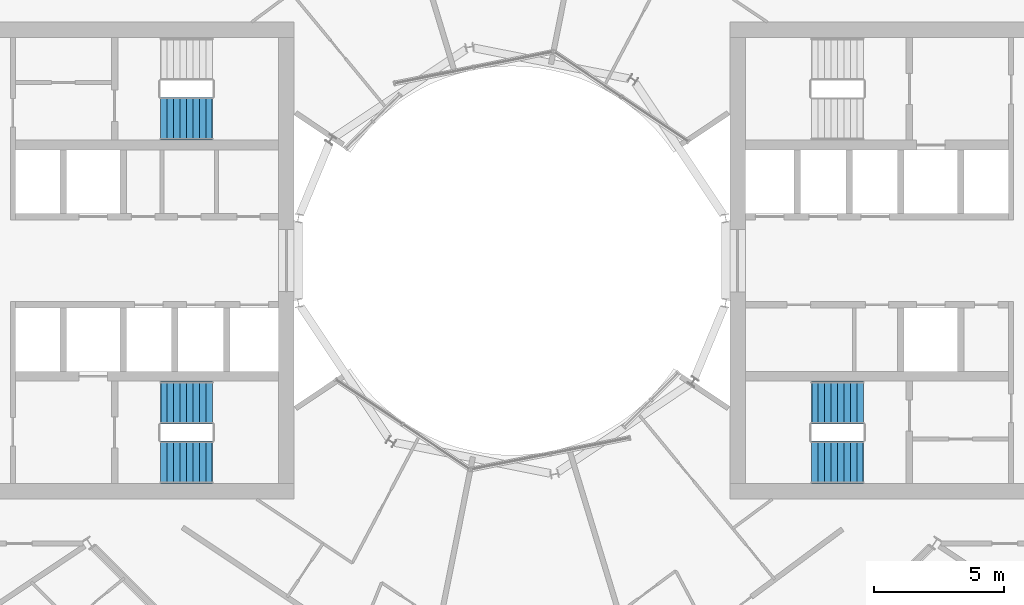
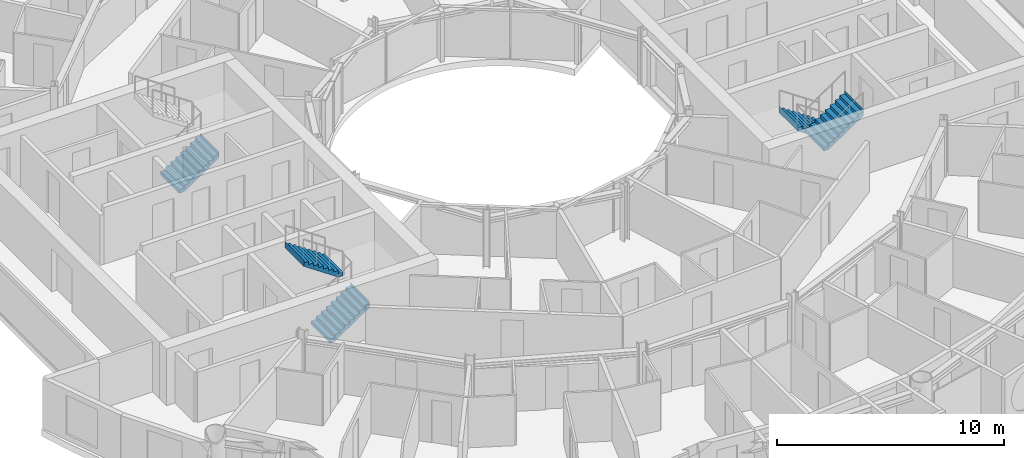
# One storey, part 24 of 27: 5 stair flights, 3 elements without a shape of their own.
"""IFC4 building model written with IfcOpenShell, lengths in metres."""

from ifc_helpers import new_model, si_unit, direction, frame, origin, place, context, subcontext, project, spatial, triangles, material, type_object, element, aggregate, save


model = new_model("IFC4")

# Units and contexts
model_context = context("Model", 3, precision=1e-05, world=origin(), true_north=direction((0.0, 1.0)))
body_context = subcontext(model_context, "Body", "Model", "MODEL_VIEW")
ifc_project = project(units=[si_unit("LENGTHUNIT", "METRE"), si_unit("AREAUNIT", "SQUARE_METRE"), si_unit("VOLUMEUNIT", "CUBIC_METRE"), si_unit("PLANEANGLEUNIT", "RADIAN"), si_unit("MASSUNIT", "GRAM", prefix="KILO")], contexts=[model_context])

# Site, building, storey
site_placement = place(None, origin())
site = spatial("IfcSite", under=ifc_project, at=site_placement, CompositionType="ELEMENT")
building_placement = place(site_placement, origin())
building = spatial("IfcBuilding", under=site, at=building_placement, Name="Maasbend Ring Residences", CompositionType="ELEMENT")
storey_placement = place(building_placement, frame((0.0, 0.0, 126.89990234375)))
storey = spatial("IfcBuildingStorey", under=building, at=storey_placement, Name="L36", CompositionType="ELEMENT", Elevation=126.89990234375)

# Stair, stair flights
ifc_material_1 = material(Name="Concrete C40/50", Category="concrete")
stair_type = type_object("IfcStairType", Name="CORE STAIR 18 RISERS", PredefinedType="HALF_TURN_STAIR", material=ifc_material_1)
stair_1_placement = place(storey_placement, origin())
stair_1 = element("IfcStair", 1, at=stair_1_placement, inside=storey, type_object=stair_type, Name="L36 Exit stair ST-E2", PredefinedType="HALF_TURN_STAIR")
ifc_material_2 = material(Name="Concrete C40/50", Category="concrete")
stair_flight_type = type_object("IfcStairFlightType", Name="CORE STAIR FLIGHT 1650", PredefinedType="STRAIGHT", material=ifc_material_2)
stair_flight_1_placement = place(storey_placement, frame((13.550048828125, -5.47509765625, 0.0), z_axis=(0.0, 0.0, 1.0), x_axis=(-1.0, 0.0, 0.0)))
stair_flight_1 = element("IfcStairFlight", 2, at=stair_flight_1_placement, type_object=stair_flight_type, Name="ST-E2 flight 1", NumberOfRisers=9, NumberOfTreads=8, PredefinedType="STRAIGHT", RiserHeight=0.169444444, TreadLength=0.25, context=body_context, shape_type="Tessellation", body=[
    triangles([(0.24072265625, 0.824951171875, -0.02001953125), (2.0029296875, 0.824951171875, 1.174560546875), (2.0029296875, 0.824951171875, 1.52490234375), (1.989990234375, 0.824951171875, 1.35546875), (1.75, 0.824951171875, 1.35546875), (1.75, 0.824951171875, 1.18603515625), (1.5, 0.824951171875, 1.18603515625), (1.5, 0.824951171875, 1.0166015625), (1.25, 0.824951171875, 1.0166015625), (1.25, 0.824951171875, 0.84716796875), (1.0, 0.824951171875, 0.84716796875), (1.0, 0.824951171875, 0.677734375), (0.75, 0.824951171875, 0.677734375), (0.75, 0.824951171875, 0.50830078125), (0.5, 0.824951171875, 0.50830078125), (0.5, 0.824951171875, 0.3388671875), (0.25, 0.824951171875, 0.3388671875), (0.25, 0.824951171875, 0.16943359375), (0.0, 0.824951171875, 0.16943359375), (0.0, 0.824951171875, 0.0), (-0.0029296875, 0.824951171875, 0.0), (-0.0029296875, 0.824951171875, -0.02001953125), (0.24072265625, 0.27490234375, -0.02001953125), (2.0029296875, 0.27490234375, 1.174560546875), (2.0029296875, 0.27490234375, 1.52490234375), (1.989990234375, 0.27490234375, 1.35546875), (1.75, 0.27490234375, 1.35546875), (1.75, 0.27490234375, 1.18603515625), (1.5, 0.27490234375, 1.18603515625), (1.5, 0.27490234375, 1.0166015625), (1.25, 0.27490234375, 1.0166015625), (1.25, 0.27490234375, 0.84716796875), (1.0, 0.27490234375, 0.84716796875), (1.0, 0.27490234375, 0.677734375), (0.75, 0.27490234375, 0.677734375), (0.75, 0.27490234375, 0.50830078125), (0.5, 0.27490234375, 0.50830078125), (0.5, 0.27490234375, 0.3388671875), (0.25, 0.27490234375, 0.3388671875), (0.25, 0.27490234375, 0.16943359375), (0.0, 0.27490234375, 0.16943359375), (0.0, 0.27490234375, 0.0), (-0.0029296875, 0.27490234375, 0.0), (-0.0029296875, 0.27490234375, -0.02001953125), (0.24072265625, -0.27490234375, -0.02001953125), (2.0029296875, -0.27490234375, 1.174560546875), (2.0029296875, -0.27490234375, 1.52490234375), (1.989990234375, -0.27490234375, 1.35546875), (1.75, -0.27490234375, 1.35546875), (1.75, -0.27490234375, 1.18603515625), (1.5, -0.27490234375, 1.18603515625), (1.5, -0.27490234375, 1.0166015625), (1.25, -0.27490234375, 1.0166015625), (1.25, -0.27490234375, 0.84716796875), (1.0, -0.27490234375, 0.84716796875), (1.0, -0.27490234375, 0.677734375), (0.75, -0.27490234375, 0.677734375), (0.75, -0.27490234375, 0.50830078125), (0.5, -0.27490234375, 0.50830078125), (0.5, -0.27490234375, 0.3388671875), (0.25, -0.27490234375, 0.3388671875), (0.25, -0.27490234375, 0.16943359375), (0.0, -0.27490234375, 0.16943359375), (0.0, -0.27490234375, 0.0), (-0.0029296875, -0.27490234375, 0.0), (-0.0029296875, -0.27490234375, -0.02001953125), (0.24072265625, -0.824951171875, -0.02001953125), (2.0029296875, -0.824951171875, 1.174560546875), (2.0029296875, -0.824951171875, 1.52490234375), (1.989990234375, -0.824951171875, 1.35546875), (1.75, -0.824951171875, 1.35546875), (1.75, -0.824951171875, 1.18603515625), (1.5, -0.824951171875, 1.18603515625), (1.5, -0.824951171875, 1.0166015625), (1.25, -0.824951171875, 1.0166015625), (1.25, -0.824951171875, 0.84716796875), (1.0, -0.824951171875, 0.84716796875), (1.0, -0.824951171875, 0.677734375), (0.75, -0.824951171875, 0.677734375), (0.75, -0.824951171875, 0.50830078125), (0.5, -0.824951171875, 0.50830078125), (0.5, -0.824951171875, 0.3388671875), (0.25, -0.824951171875, 0.3388671875), (0.25, -0.824951171875, 0.16943359375), (0.0, -0.824951171875, 0.16943359375), (0.0, -0.824951171875, 0.0), (-0.0029296875, -0.824951171875, 0.0), (-0.0029296875, -0.824951171875, -0.02001953125)], [[1, 2, 24], [1, 24, 23], [23, 24, 46], [23, 46, 45], [45, 46, 68], [45, 68, 67], [2, 3, 25], [2, 25, 24], [24, 25, 47], [24, 47, 46], [46, 47, 69], [46, 69, 68], [3, 4, 26], [3, 26, 25], [25, 26, 48], [25, 48, 47], [47, 48, 70], [47, 70, 69], [4, 5, 27], [4, 27, 26], [26, 27, 49], [26, 49, 48], [48, 49, 71], [48, 71, 70], [5, 6, 28], [5, 28, 27], [27, 28, 50], [27, 50, 49], [49, 50, 72], [49, 72, 71], [6, 7, 29], [6, 29, 28], [28, 29, 51], [28, 51, 50], [50, 51, 73], [50, 73, 72], [7, 8, 30], [7, 30, 29], [29, 30, 52], [29, 52, 51], [51, 52, 74], [51, 74, 73], [8, 9, 31], [8, 31, 30], [30, 31, 53], [30, 53, 52], [52, 53, 75], [52, 75, 74], [9, 10, 32], [9, 32, 31], [31, 32, 54], [31, 54, 53], [53, 54, 76], [53, 76, 75], [10, 11, 33], [10, 33, 32], [32, 33, 55], [32, 55, 54], [54, 55, 77], [54, 77, 76], [11, 12, 34], [11, 34, 33], [33, 34, 56], [33, 56, 55], [55, 56, 78], [55, 78, 77], [12, 13, 35], [12, 35, 34], [34, 35, 57], [34, 57, 56], [56, 57, 79], [56, 79, 78], [13, 14, 36], [13, 36, 35], [35, 36, 58], [35, 58, 57], [57, 58, 80], [57, 80, 79], [14, 15, 37], [14, 37, 36], [36, 37, 59], [36, 59, 58], [58, 59, 81], [58, 81, 80], [15, 16, 38], [15, 38, 37], [37, 38, 60], [37, 60, 59], [59, 60, 82], [59, 82, 81], [16, 17, 39], [16, 39, 38], [38, 39, 61], [38, 61, 60], [60, 61, 83], [60, 83, 82], [17, 18, 40], [17, 40, 39], [39, 40, 62], [39, 62, 61], [61, 62, 84], [61, 84, 83], [18, 19, 41], [18, 41, 40], [40, 41, 63], [40, 63, 62], [62, 63, 85], [62, 85, 84], [19, 20, 42], [19, 42, 41], [41, 42, 64], [41, 64, 63], [63, 64, 86], [63, 86, 85], [20, 21, 43], [20, 43, 42], [42, 43, 65], [42, 65, 64], [64, 65, 87], [64, 87, 86], [21, 22, 44], [21, 44, 43], [43, 44, 66], [43, 66, 65], [65, 66, 88], [65, 88, 87], [22, 1, 23], [22, 23, 44], [44, 23, 45], [44, 45, 66], [66, 45, 67], [66, 67, 88], [22, 2, 1], [2, 4, 3], [2, 5, 4], [2, 6, 5], [22, 6, 2], [6, 8, 7], [22, 8, 6], [8, 10, 9], [22, 10, 8], [10, 12, 11], [22, 12, 10], [12, 14, 13], [22, 14, 12], [14, 16, 15], [22, 16, 14], [16, 18, 17], [22, 18, 16], [18, 20, 19], [22, 20, 18], [20, 22, 21], [88, 67, 68], [68, 69, 70], [68, 70, 71], [68, 71, 72], [88, 68, 72], [72, 73, 74], [88, 72, 74], [74, 75, 76], [88, 74, 76], [76, 77, 78], [88, 76, 78], [78, 79, 80], [88, 78, 80], [80, 81, 82], [88, 80, 82], [82, 83, 84], [88, 82, 84], [84, 85, 86], [88, 84, 86], [86, 87, 88]], closed=True),
])
stair_flight_2_placement = place(storey_placement, frame((11.550048828125, -7.77490234375, 1.525146484375), z_axis=(0.0, 0.0, 1.0), x_axis=(1.0, 0.0, 0.0)))
stair_flight_2 = element("IfcStairFlight", 3, at=stair_flight_2_placement, type_object=stair_flight_type, Name="ST-E2 flight 2", NumberOfRisers=9, NumberOfTreads=8, PredefinedType="STRAIGHT", RiserHeight=0.169444444, TreadLength=0.25, context=body_context, shape_type="Tessellation", body=[
    triangles([(0.24072265625, 0.824951171875, -0.02001953125), (2.0029296875, 0.824951171875, 1.174560546875), (2.0029296875, 0.824951171875, 1.52490234375), (1.989990234375, 0.824951171875, 1.35546875), (1.75, 0.824951171875, 1.35546875), (1.75, 0.824951171875, 1.18603515625), (1.5, 0.824951171875, 1.18603515625), (1.5, 0.824951171875, 1.0166015625), (1.25, 0.824951171875, 1.0166015625), (1.25, 0.824951171875, 0.84716796875), (1.0, 0.824951171875, 0.84716796875), (1.0, 0.824951171875, 0.677734375), (0.75, 0.824951171875, 0.677734375), (0.75, 0.824951171875, 0.50830078125), (0.5, 0.824951171875, 0.50830078125), (0.5, 0.824951171875, 0.3388671875), (0.25, 0.824951171875, 0.3388671875), (0.25, 0.824951171875, 0.16943359375), (0.0, 0.824951171875, 0.16943359375), (0.0, 0.824951171875, 0.0), (-0.0029296875, 0.824951171875, 0.0), (-0.0029296875, 0.824951171875, -0.02001953125), (0.24072265625, 0.27490234375, -0.02001953125), (2.0029296875, 0.27490234375, 1.174560546875), (2.0029296875, 0.27490234375, 1.52490234375), (1.989990234375, 0.27490234375, 1.35546875), (1.75, 0.27490234375, 1.35546875), (1.75, 0.27490234375, 1.18603515625), (1.5, 0.27490234375, 1.18603515625), (1.5, 0.27490234375, 1.0166015625), (1.25, 0.27490234375, 1.0166015625), (1.25, 0.27490234375, 0.84716796875), (1.0, 0.27490234375, 0.84716796875), (1.0, 0.27490234375, 0.677734375), (0.75, 0.27490234375, 0.677734375), (0.75, 0.27490234375, 0.50830078125), (0.5, 0.27490234375, 0.50830078125), (0.5, 0.27490234375, 0.3388671875), (0.25, 0.27490234375, 0.3388671875), (0.25, 0.27490234375, 0.16943359375), (0.0, 0.27490234375, 0.16943359375), (0.0, 0.27490234375, 0.0), (-0.0029296875, 0.27490234375, 0.0), (-0.0029296875, 0.27490234375, -0.02001953125), (0.24072265625, -0.27490234375, -0.02001953125), (2.0029296875, -0.27490234375, 1.174560546875), (2.0029296875, -0.27490234375, 1.52490234375), (1.989990234375, -0.27490234375, 1.35546875), (1.75, -0.27490234375, 1.35546875), (1.75, -0.27490234375, 1.18603515625), (1.5, -0.27490234375, 1.18603515625), (1.5, -0.27490234375, 1.0166015625), (1.25, -0.27490234375, 1.0166015625), (1.25, -0.27490234375, 0.84716796875), (1.0, -0.27490234375, 0.84716796875), (1.0, -0.27490234375, 0.677734375), (0.75, -0.27490234375, 0.677734375), (0.75, -0.27490234375, 0.50830078125), (0.5, -0.27490234375, 0.50830078125), (0.5, -0.27490234375, 0.3388671875), (0.25, -0.27490234375, 0.3388671875), (0.25, -0.27490234375, 0.16943359375), (0.0, -0.27490234375, 0.16943359375), (0.0, -0.27490234375, 0.0), (-0.0029296875, -0.27490234375, 0.0), (-0.0029296875, -0.27490234375, -0.02001953125), (0.24072265625, -0.824951171875, -0.02001953125), (2.0029296875, -0.824951171875, 1.174560546875), (2.0029296875, -0.824951171875, 1.52490234375), (1.989990234375, -0.824951171875, 1.35546875), (1.75, -0.824951171875, 1.35546875), (1.75, -0.824951171875, 1.18603515625), (1.5, -0.824951171875, 1.18603515625), (1.5, -0.824951171875, 1.0166015625), (1.25, -0.824951171875, 1.0166015625), (1.25, -0.824951171875, 0.84716796875), (1.0, -0.824951171875, 0.84716796875), (1.0, -0.824951171875, 0.677734375), (0.75, -0.824951171875, 0.677734375), (0.75, -0.824951171875, 0.50830078125), (0.5, -0.824951171875, 0.50830078125), (0.5, -0.824951171875, 0.3388671875), (0.25, -0.824951171875, 0.3388671875), (0.25, -0.824951171875, 0.16943359375), (0.0, -0.824951171875, 0.16943359375), (0.0, -0.824951171875, 0.0), (-0.0029296875, -0.824951171875, 0.0), (-0.0029296875, -0.824951171875, -0.02001953125)], [[1, 2, 24], [1, 24, 23], [23, 24, 46], [23, 46, 45], [45, 46, 68], [45, 68, 67], [2, 3, 25], [2, 25, 24], [24, 25, 47], [24, 47, 46], [46, 47, 69], [46, 69, 68], [3, 4, 26], [3, 26, 25], [25, 26, 48], [25, 48, 47], [47, 48, 70], [47, 70, 69], [4, 5, 27], [4, 27, 26], [26, 27, 49], [26, 49, 48], [48, 49, 71], [48, 71, 70], [5, 6, 28], [5, 28, 27], [27, 28, 50], [27, 50, 49], [49, 50, 72], [49, 72, 71], [6, 7, 29], [6, 29, 28], [28, 29, 51], [28, 51, 50], [50, 51, 73], [50, 73, 72], [7, 8, 30], [7, 30, 29], [29, 30, 52], [29, 52, 51], [51, 52, 74], [51, 74, 73], [8, 9, 31], [8, 31, 30], [30, 31, 53], [30, 53, 52], [52, 53, 75], [52, 75, 74], [9, 10, 32], [9, 32, 31], [31, 32, 54], [31, 54, 53], [53, 54, 76], [53, 76, 75], [10, 11, 33], [10, 33, 32], [32, 33, 55], [32, 55, 54], [54, 55, 77], [54, 77, 76], [11, 12, 34], [11, 34, 33], [33, 34, 56], [33, 56, 55], [55, 56, 78], [55, 78, 77], [12, 13, 35], [12, 35, 34], [34, 35, 57], [34, 57, 56], [56, 57, 79], [56, 79, 78], [13, 14, 36], [13, 36, 35], [35, 36, 58], [35, 58, 57], [57, 58, 80], [57, 80, 79], [14, 15, 37], [14, 37, 36], [36, 37, 59], [36, 59, 58], [58, 59, 81], [58, 81, 80], [15, 16, 38], [15, 38, 37], [37, 38, 60], [37, 60, 59], [59, 60, 82], [59, 82, 81], [16, 17, 39], [16, 39, 38], [38, 39, 61], [38, 61, 60], [60, 61, 83], [60, 83, 82], [17, 18, 40], [17, 40, 39], [39, 40, 62], [39, 62, 61], [61, 62, 84], [61, 84, 83], [18, 19, 41], [18, 41, 40], [40, 41, 63], [40, 63, 62], [62, 63, 85], [62, 85, 84], [19, 20, 42], [19, 42, 41], [41, 42, 64], [41, 64, 63], [63, 64, 86], [63, 86, 85], [20, 21, 43], [20, 43, 42], [42, 43, 65], [42, 65, 64], [64, 65, 87], [64, 87, 86], [21, 22, 44], [21, 44, 43], [43, 44, 66], [43, 66, 65], [65, 66, 88], [65, 88, 87], [22, 1, 23], [22, 23, 44], [44, 23, 45], [44, 45, 66], [66, 45, 67], [66, 67, 88], [22, 2, 1], [2, 4, 3], [2, 5, 4], [2, 6, 5], [22, 6, 2], [6, 8, 7], [22, 8, 6], [8, 10, 9], [22, 10, 8], [10, 12, 11], [22, 12, 10], [12, 14, 13], [22, 14, 12], [14, 16, 15], [22, 16, 14], [16, 18, 17], [22, 18, 16], [18, 20, 19], [22, 20, 18], [20, 22, 21], [88, 67, 68], [68, 69, 70], [68, 70, 71], [68, 71, 72], [88, 68, 72], [72, 73, 74], [88, 72, 74], [74, 75, 76], [88, 74, 76], [76, 77, 78], [88, 76, 78], [78, 79, 80], [88, 78, 80], [80, 81, 82], [88, 80, 82], [82, 83, 84], [88, 82, 84], [84, 85, 86], [88, 84, 86], [86, 87, 88]], closed=True),
])
aggregate(stair_1, [stair_flight_1, stair_flight_2])

stair_2_placement = place(storey_placement, origin())
stair_2 = element("IfcStair", 4, at=stair_2_placement, inside=storey, type_object=stair_type, Name="L36 Exit stair ST-W1", PredefinedType="HALF_TURN_STAIR")
stair_flight_3_placement = place(storey_placement, frame((-13.550048828125, -7.77490234375, 0.0), z_axis=(0.0, 0.0, 1.0), x_axis=(1.0, 0.0, 0.0)))
stair_flight_3 = element("IfcStairFlight", 5, at=stair_flight_3_placement, type_object=stair_flight_type, Name="ST-W1 flight 1", NumberOfRisers=9, NumberOfTreads=8, PredefinedType="STRAIGHT", RiserHeight=0.169444444, TreadLength=0.25, context=body_context, shape_type="Tessellation", body=[
    triangles([(0.24072265625, 0.824951171875, -0.02001953125), (2.0029296875, 0.824951171875, 1.174560546875), (2.0029296875, 0.824951171875, 1.52490234375), (1.989990234375, 0.824951171875, 1.35546875), (1.75, 0.824951171875, 1.35546875), (1.75, 0.824951171875, 1.18603515625), (1.5, 0.824951171875, 1.18603515625), (1.5, 0.824951171875, 1.0166015625), (1.25, 0.824951171875, 1.0166015625), (1.25, 0.824951171875, 0.84716796875), (1.0, 0.824951171875, 0.84716796875), (1.0, 0.824951171875, 0.677734375), (0.75, 0.824951171875, 0.677734375), (0.75, 0.824951171875, 0.50830078125), (0.5, 0.824951171875, 0.50830078125), (0.5, 0.824951171875, 0.3388671875), (0.25, 0.824951171875, 0.3388671875), (0.25, 0.824951171875, 0.16943359375), (0.0, 0.824951171875, 0.16943359375), (0.0, 0.824951171875, 0.0), (-0.0029296875, 0.824951171875, 0.0), (-0.0029296875, 0.824951171875, -0.02001953125), (0.24072265625, 0.27490234375, -0.02001953125), (2.0029296875, 0.27490234375, 1.174560546875), (2.0029296875, 0.27490234375, 1.52490234375), (1.989990234375, 0.27490234375, 1.35546875), (1.75, 0.27490234375, 1.35546875), (1.75, 0.27490234375, 1.18603515625), (1.5, 0.27490234375, 1.18603515625), (1.5, 0.27490234375, 1.0166015625), (1.25, 0.27490234375, 1.0166015625), (1.25, 0.27490234375, 0.84716796875), (1.0, 0.27490234375, 0.84716796875), (1.0, 0.27490234375, 0.677734375), (0.75, 0.27490234375, 0.677734375), (0.75, 0.27490234375, 0.50830078125), (0.5, 0.27490234375, 0.50830078125), (0.5, 0.27490234375, 0.3388671875), (0.25, 0.27490234375, 0.3388671875), (0.25, 0.27490234375, 0.16943359375), (0.0, 0.27490234375, 0.16943359375), (0.0, 0.27490234375, 0.0), (-0.0029296875, 0.27490234375, 0.0), (-0.0029296875, 0.27490234375, -0.02001953125), (0.24072265625, -0.27490234375, -0.02001953125), (2.0029296875, -0.27490234375, 1.174560546875), (2.0029296875, -0.27490234375, 1.52490234375), (1.989990234375, -0.27490234375, 1.35546875), (1.75, -0.27490234375, 1.35546875), (1.75, -0.27490234375, 1.18603515625), (1.5, -0.27490234375, 1.18603515625), (1.5, -0.27490234375, 1.0166015625), (1.25, -0.27490234375, 1.0166015625), (1.25, -0.27490234375, 0.84716796875), (1.0, -0.27490234375, 0.84716796875), (1.0, -0.27490234375, 0.677734375), (0.75, -0.27490234375, 0.677734375), (0.75, -0.27490234375, 0.50830078125), (0.5, -0.27490234375, 0.50830078125), (0.5, -0.27490234375, 0.3388671875), (0.25, -0.27490234375, 0.3388671875), (0.25, -0.27490234375, 0.16943359375), (0.0, -0.27490234375, 0.16943359375), (0.0, -0.27490234375, 0.0), (-0.0029296875, -0.27490234375, 0.0), (-0.0029296875, -0.27490234375, -0.02001953125), (0.24072265625, -0.824951171875, -0.02001953125), (2.0029296875, -0.824951171875, 1.174560546875), (2.0029296875, -0.824951171875, 1.52490234375), (1.989990234375, -0.824951171875, 1.35546875), (1.75, -0.824951171875, 1.35546875), (1.75, -0.824951171875, 1.18603515625), (1.5, -0.824951171875, 1.18603515625), (1.5, -0.824951171875, 1.0166015625), (1.25, -0.824951171875, 1.0166015625), (1.25, -0.824951171875, 0.84716796875), (1.0, -0.824951171875, 0.84716796875), (1.0, -0.824951171875, 0.677734375), (0.75, -0.824951171875, 0.677734375), (0.75, -0.824951171875, 0.50830078125), (0.5, -0.824951171875, 0.50830078125), (0.5, -0.824951171875, 0.3388671875), (0.25, -0.824951171875, 0.3388671875), (0.25, -0.824951171875, 0.16943359375), (0.0, -0.824951171875, 0.16943359375), (0.0, -0.824951171875, 0.0), (-0.0029296875, -0.824951171875, 0.0), (-0.0029296875, -0.824951171875, -0.02001953125)], [[1, 2, 24], [1, 24, 23], [23, 24, 46], [23, 46, 45], [45, 46, 68], [45, 68, 67], [2, 3, 25], [2, 25, 24], [24, 25, 47], [24, 47, 46], [46, 47, 69], [46, 69, 68], [3, 4, 26], [3, 26, 25], [25, 26, 48], [25, 48, 47], [47, 48, 70], [47, 70, 69], [4, 5, 27], [4, 27, 26], [26, 27, 49], [26, 49, 48], [48, 49, 71], [48, 71, 70], [5, 6, 28], [5, 28, 27], [27, 28, 50], [27, 50, 49], [49, 50, 72], [49, 72, 71], [6, 7, 29], [6, 29, 28], [28, 29, 51], [28, 51, 50], [50, 51, 73], [50, 73, 72], [7, 8, 30], [7, 30, 29], [29, 30, 52], [29, 52, 51], [51, 52, 74], [51, 74, 73], [8, 9, 31], [8, 31, 30], [30, 31, 53], [30, 53, 52], [52, 53, 75], [52, 75, 74], [9, 10, 32], [9, 32, 31], [31, 32, 54], [31, 54, 53], [53, 54, 76], [53, 76, 75], [10, 11, 33], [10, 33, 32], [32, 33, 55], [32, 55, 54], [54, 55, 77], [54, 77, 76], [11, 12, 34], [11, 34, 33], [33, 34, 56], [33, 56, 55], [55, 56, 78], [55, 78, 77], [12, 13, 35], [12, 35, 34], [34, 35, 57], [34, 57, 56], [56, 57, 79], [56, 79, 78], [13, 14, 36], [13, 36, 35], [35, 36, 58], [35, 58, 57], [57, 58, 80], [57, 80, 79], [14, 15, 37], [14, 37, 36], [36, 37, 59], [36, 59, 58], [58, 59, 81], [58, 81, 80], [15, 16, 38], [15, 38, 37], [37, 38, 60], [37, 60, 59], [59, 60, 82], [59, 82, 81], [16, 17, 39], [16, 39, 38], [38, 39, 61], [38, 61, 60], [60, 61, 83], [60, 83, 82], [17, 18, 40], [17, 40, 39], [39, 40, 62], [39, 62, 61], [61, 62, 84], [61, 84, 83], [18, 19, 41], [18, 41, 40], [40, 41, 63], [40, 63, 62], [62, 63, 85], [62, 85, 84], [19, 20, 42], [19, 42, 41], [41, 42, 64], [41, 64, 63], [63, 64, 86], [63, 86, 85], [20, 21, 43], [20, 43, 42], [42, 43, 65], [42, 65, 64], [64, 65, 87], [64, 87, 86], [21, 22, 44], [21, 44, 43], [43, 44, 66], [43, 66, 65], [65, 66, 88], [65, 88, 87], [22, 1, 23], [22, 23, 44], [44, 23, 45], [44, 45, 66], [66, 45, 67], [66, 67, 88], [22, 2, 1], [2, 4, 3], [2, 5, 4], [2, 6, 5], [22, 6, 2], [6, 8, 7], [22, 8, 6], [8, 10, 9], [22, 10, 8], [10, 12, 11], [22, 12, 10], [12, 14, 13], [22, 14, 12], [14, 16, 15], [22, 16, 14], [16, 18, 17], [22, 18, 16], [18, 20, 19], [22, 20, 18], [20, 22, 21], [88, 67, 68], [68, 69, 70], [68, 70, 71], [68, 71, 72], [88, 68, 72], [72, 73, 74], [88, 72, 74], [74, 75, 76], [88, 74, 76], [76, 77, 78], [88, 76, 78], [78, 79, 80], [88, 78, 80], [80, 81, 82], [88, 80, 82], [82, 83, 84], [88, 82, 84], [84, 85, 86], [88, 84, 86], [86, 87, 88]], closed=True),
])
stair_flight_4_placement = place(storey_placement, frame((-11.550048828125, -5.47509765625, 1.525146484375), z_axis=(0.0, 0.0, 1.0), x_axis=(-1.0, 0.0, 0.0)))
stair_flight_4 = element("IfcStairFlight", 6, at=stair_flight_4_placement, type_object=stair_flight_type, Name="ST-W1 flight 2", NumberOfRisers=9, NumberOfTreads=8, PredefinedType="STRAIGHT", RiserHeight=0.169444444, TreadLength=0.25, context=body_context, shape_type="Tessellation", body=[
    triangles([(0.24072265625, 0.824951171875, -0.02001953125), (2.0029296875, 0.824951171875, 1.174560546875), (2.0029296875, 0.824951171875, 1.52490234375), (1.989990234375, 0.824951171875, 1.35546875), (1.75, 0.824951171875, 1.35546875), (1.75, 0.824951171875, 1.18603515625), (1.5, 0.824951171875, 1.18603515625), (1.5, 0.824951171875, 1.0166015625), (1.25, 0.824951171875, 1.0166015625), (1.25, 0.824951171875, 0.84716796875), (1.0, 0.824951171875, 0.84716796875), (1.0, 0.824951171875, 0.677734375), (0.75, 0.824951171875, 0.677734375), (0.75, 0.824951171875, 0.50830078125), (0.5, 0.824951171875, 0.50830078125), (0.5, 0.824951171875, 0.3388671875), (0.25, 0.824951171875, 0.3388671875), (0.25, 0.824951171875, 0.16943359375), (0.0, 0.824951171875, 0.16943359375), (0.0, 0.824951171875, 0.0), (-0.0029296875, 0.824951171875, 0.0), (-0.0029296875, 0.824951171875, -0.02001953125), (0.24072265625, 0.27490234375, -0.02001953125), (2.0029296875, 0.27490234375, 1.174560546875), (2.0029296875, 0.27490234375, 1.52490234375), (1.989990234375, 0.27490234375, 1.35546875), (1.75, 0.27490234375, 1.35546875), (1.75, 0.27490234375, 1.18603515625), (1.5, 0.27490234375, 1.18603515625), (1.5, 0.27490234375, 1.0166015625), (1.25, 0.27490234375, 1.0166015625), (1.25, 0.27490234375, 0.84716796875), (1.0, 0.27490234375, 0.84716796875), (1.0, 0.27490234375, 0.677734375), (0.75, 0.27490234375, 0.677734375), (0.75, 0.27490234375, 0.50830078125), (0.5, 0.27490234375, 0.50830078125), (0.5, 0.27490234375, 0.3388671875), (0.25, 0.27490234375, 0.3388671875), (0.25, 0.27490234375, 0.16943359375), (0.0, 0.27490234375, 0.16943359375), (0.0, 0.27490234375, 0.0), (-0.0029296875, 0.27490234375, 0.0), (-0.0029296875, 0.27490234375, -0.02001953125), (0.24072265625, -0.27490234375, -0.02001953125), (2.0029296875, -0.27490234375, 1.174560546875), (2.0029296875, -0.27490234375, 1.52490234375), (1.989990234375, -0.27490234375, 1.35546875), (1.75, -0.27490234375, 1.35546875), (1.75, -0.27490234375, 1.18603515625), (1.5, -0.27490234375, 1.18603515625), (1.5, -0.27490234375, 1.0166015625), (1.25, -0.27490234375, 1.0166015625), (1.25, -0.27490234375, 0.84716796875), (1.0, -0.27490234375, 0.84716796875), (1.0, -0.27490234375, 0.677734375), (0.75, -0.27490234375, 0.677734375), (0.75, -0.27490234375, 0.50830078125), (0.5, -0.27490234375, 0.50830078125), (0.5, -0.27490234375, 0.3388671875), (0.25, -0.27490234375, 0.3388671875), (0.25, -0.27490234375, 0.16943359375), (0.0, -0.27490234375, 0.16943359375), (0.0, -0.27490234375, 0.0), (-0.0029296875, -0.27490234375, 0.0), (-0.0029296875, -0.27490234375, -0.02001953125), (0.24072265625, -0.824951171875, -0.02001953125), (2.0029296875, -0.824951171875, 1.174560546875), (2.0029296875, -0.824951171875, 1.52490234375), (1.989990234375, -0.824951171875, 1.35546875), (1.75, -0.824951171875, 1.35546875), (1.75, -0.824951171875, 1.18603515625), (1.5, -0.824951171875, 1.18603515625), (1.5, -0.824951171875, 1.0166015625), (1.25, -0.824951171875, 1.0166015625), (1.25, -0.824951171875, 0.84716796875), (1.0, -0.824951171875, 0.84716796875), (1.0, -0.824951171875, 0.677734375), (0.75, -0.824951171875, 0.677734375), (0.75, -0.824951171875, 0.50830078125), (0.5, -0.824951171875, 0.50830078125), (0.5, -0.824951171875, 0.3388671875), (0.25, -0.824951171875, 0.3388671875), (0.25, -0.824951171875, 0.16943359375), (0.0, -0.824951171875, 0.16943359375), (0.0, -0.824951171875, 0.0), (-0.0029296875, -0.824951171875, 0.0), (-0.0029296875, -0.824951171875, -0.02001953125)], [[1, 2, 24], [1, 24, 23], [23, 24, 46], [23, 46, 45], [45, 46, 68], [45, 68, 67], [2, 3, 25], [2, 25, 24], [24, 25, 47], [24, 47, 46], [46, 47, 69], [46, 69, 68], [3, 4, 26], [3, 26, 25], [25, 26, 48], [25, 48, 47], [47, 48, 70], [47, 70, 69], [4, 5, 27], [4, 27, 26], [26, 27, 49], [26, 49, 48], [48, 49, 71], [48, 71, 70], [5, 6, 28], [5, 28, 27], [27, 28, 50], [27, 50, 49], [49, 50, 72], [49, 72, 71], [6, 7, 29], [6, 29, 28], [28, 29, 51], [28, 51, 50], [50, 51, 73], [50, 73, 72], [7, 8, 30], [7, 30, 29], [29, 30, 52], [29, 52, 51], [51, 52, 74], [51, 74, 73], [8, 9, 31], [8, 31, 30], [30, 31, 53], [30, 53, 52], [52, 53, 75], [52, 75, 74], [9, 10, 32], [9, 32, 31], [31, 32, 54], [31, 54, 53], [53, 54, 76], [53, 76, 75], [10, 11, 33], [10, 33, 32], [32, 33, 55], [32, 55, 54], [54, 55, 77], [54, 77, 76], [11, 12, 34], [11, 34, 33], [33, 34, 56], [33, 56, 55], [55, 56, 78], [55, 78, 77], [12, 13, 35], [12, 35, 34], [34, 35, 57], [34, 57, 56], [56, 57, 79], [56, 79, 78], [13, 14, 36], [13, 36, 35], [35, 36, 58], [35, 58, 57], [57, 58, 80], [57, 80, 79], [14, 15, 37], [14, 37, 36], [36, 37, 59], [36, 59, 58], [58, 59, 81], [58, 81, 80], [15, 16, 38], [15, 38, 37], [37, 38, 60], [37, 60, 59], [59, 60, 82], [59, 82, 81], [16, 17, 39], [16, 39, 38], [38, 39, 61], [38, 61, 60], [60, 61, 83], [60, 83, 82], [17, 18, 40], [17, 40, 39], [39, 40, 62], [39, 62, 61], [61, 62, 84], [61, 84, 83], [18, 19, 41], [18, 41, 40], [40, 41, 63], [40, 63, 62], [62, 63, 85], [62, 85, 84], [19, 20, 42], [19, 42, 41], [41, 42, 64], [41, 64, 63], [63, 64, 86], [63, 86, 85], [20, 21, 43], [20, 43, 42], [42, 43, 65], [42, 65, 64], [64, 65, 87], [64, 87, 86], [21, 22, 44], [21, 44, 43], [43, 44, 66], [43, 66, 65], [65, 66, 88], [65, 88, 87], [22, 1, 23], [22, 23, 44], [44, 23, 45], [44, 45, 66], [66, 45, 67], [66, 67, 88], [22, 2, 1], [2, 4, 3], [2, 5, 4], [2, 6, 5], [22, 6, 2], [6, 8, 7], [22, 8, 6], [8, 10, 9], [22, 10, 8], [10, 12, 11], [22, 12, 10], [12, 14, 13], [22, 14, 12], [14, 16, 15], [22, 16, 14], [16, 18, 17], [22, 18, 16], [18, 20, 19], [22, 20, 18], [20, 22, 21], [88, 67, 68], [68, 69, 70], [68, 70, 71], [68, 71, 72], [88, 68, 72], [72, 73, 74], [88, 72, 74], [74, 75, 76], [88, 74, 76], [76, 77, 78], [88, 76, 78], [78, 79, 80], [88, 78, 80], [80, 81, 82], [88, 80, 82], [82, 83, 84], [88, 82, 84], [84, 85, 86], [88, 84, 86], [86, 87, 88]], closed=True),
])
aggregate(stair_2, [stair_flight_3, stair_flight_4])

# Stair, stair flight
stair_3_placement = place(storey_placement, origin())
stair_3 = element("IfcStair", 7, at=stair_3_placement, inside=storey, type_object=stair_type, Name="L36 Exit stair ST-W2", PredefinedType="HALF_TURN_STAIR")
stair_flight_5_placement = place(storey_placement, frame((-13.550048828125, 5.47509765625, 0.0), z_axis=(0.0, 0.0, 1.0), x_axis=(1.0, 0.0, 0.0)))
stair_flight_5 = element("IfcStairFlight", 8, at=stair_flight_5_placement, type_object=stair_flight_type, Name="ST-W2 flight 1", NumberOfRisers=9, NumberOfTreads=8, PredefinedType="STRAIGHT", RiserHeight=0.169444444, TreadLength=0.25, context=body_context, shape_type="Tessellation", body=[
    triangles([(0.24072265625, 0.824951171875, -0.02001953125), (2.0029296875, 0.824951171875, 1.174560546875), (2.0029296875, 0.824951171875, 1.52490234375), (1.989990234375, 0.824951171875, 1.35546875), (1.75, 0.824951171875, 1.35546875), (1.75, 0.824951171875, 1.18603515625), (1.5, 0.824951171875, 1.18603515625), (1.5, 0.824951171875, 1.0166015625), (1.25, 0.824951171875, 1.0166015625), (1.25, 0.824951171875, 0.84716796875), (1.0, 0.824951171875, 0.84716796875), (1.0, 0.824951171875, 0.677734375), (0.75, 0.824951171875, 0.677734375), (0.75, 0.824951171875, 0.50830078125), (0.5, 0.824951171875, 0.50830078125), (0.5, 0.824951171875, 0.3388671875), (0.25, 0.824951171875, 0.3388671875), (0.25, 0.824951171875, 0.16943359375), (0.0, 0.824951171875, 0.16943359375), (0.0, 0.824951171875, 0.0), (-0.0029296875, 0.824951171875, 0.0), (-0.0029296875, 0.824951171875, -0.02001953125), (0.24072265625, 0.27490234375, -0.02001953125), (2.0029296875, 0.27490234375, 1.174560546875), (2.0029296875, 0.27490234375, 1.52490234375), (1.989990234375, 0.27490234375, 1.35546875), (1.75, 0.27490234375, 1.35546875), (1.75, 0.27490234375, 1.18603515625), (1.5, 0.27490234375, 1.18603515625), (1.5, 0.27490234375, 1.0166015625), (1.25, 0.27490234375, 1.0166015625), (1.25, 0.27490234375, 0.84716796875), (1.0, 0.27490234375, 0.84716796875), (1.0, 0.27490234375, 0.677734375), (0.75, 0.27490234375, 0.677734375), (0.75, 0.27490234375, 0.50830078125), (0.5, 0.27490234375, 0.50830078125), (0.5, 0.27490234375, 0.3388671875), (0.25, 0.27490234375, 0.3388671875), (0.25, 0.27490234375, 0.16943359375), (0.0, 0.27490234375, 0.16943359375), (0.0, 0.27490234375, 0.0), (-0.0029296875, 0.27490234375, 0.0), (-0.0029296875, 0.27490234375, -0.02001953125), (0.24072265625, -0.27490234375, -0.02001953125), (2.0029296875, -0.27490234375, 1.174560546875), (2.0029296875, -0.27490234375, 1.52490234375), (1.989990234375, -0.27490234375, 1.35546875), (1.75, -0.27490234375, 1.35546875), (1.75, -0.27490234375, 1.18603515625), (1.5, -0.27490234375, 1.18603515625), (1.5, -0.27490234375, 1.0166015625), (1.25, -0.27490234375, 1.0166015625), (1.25, -0.27490234375, 0.84716796875), (1.0, -0.27490234375, 0.84716796875), (1.0, -0.27490234375, 0.677734375), (0.75, -0.27490234375, 0.677734375), (0.75, -0.27490234375, 0.50830078125), (0.5, -0.27490234375, 0.50830078125), (0.5, -0.27490234375, 0.3388671875), (0.25, -0.27490234375, 0.3388671875), (0.25, -0.27490234375, 0.16943359375), (0.0, -0.27490234375, 0.16943359375), (0.0, -0.27490234375, 0.0), (-0.0029296875, -0.27490234375, 0.0), (-0.0029296875, -0.27490234375, -0.02001953125), (0.24072265625, -0.824951171875, -0.02001953125), (2.0029296875, -0.824951171875, 1.174560546875), (2.0029296875, -0.824951171875, 1.52490234375), (1.989990234375, -0.824951171875, 1.35546875), (1.75, -0.824951171875, 1.35546875), (1.75, -0.824951171875, 1.18603515625), (1.5, -0.824951171875, 1.18603515625), (1.5, -0.824951171875, 1.0166015625), (1.25, -0.824951171875, 1.0166015625), (1.25, -0.824951171875, 0.84716796875), (1.0, -0.824951171875, 0.84716796875), (1.0, -0.824951171875, 0.677734375), (0.75, -0.824951171875, 0.677734375), (0.75, -0.824951171875, 0.50830078125), (0.5, -0.824951171875, 0.50830078125), (0.5, -0.824951171875, 0.3388671875), (0.25, -0.824951171875, 0.3388671875), (0.25, -0.824951171875, 0.16943359375), (0.0, -0.824951171875, 0.16943359375), (0.0, -0.824951171875, 0.0), (-0.0029296875, -0.824951171875, 0.0), (-0.0029296875, -0.824951171875, -0.02001953125)], [[1, 2, 24], [1, 24, 23], [23, 24, 46], [23, 46, 45], [45, 46, 68], [45, 68, 67], [2, 3, 25], [2, 25, 24], [24, 25, 47], [24, 47, 46], [46, 47, 69], [46, 69, 68], [3, 4, 26], [3, 26, 25], [25, 26, 48], [25, 48, 47], [47, 48, 70], [47, 70, 69], [4, 5, 27], [4, 27, 26], [26, 27, 49], [26, 49, 48], [48, 49, 71], [48, 71, 70], [5, 6, 28], [5, 28, 27], [27, 28, 50], [27, 50, 49], [49, 50, 72], [49, 72, 71], [6, 7, 29], [6, 29, 28], [28, 29, 51], [28, 51, 50], [50, 51, 73], [50, 73, 72], [7, 8, 30], [7, 30, 29], [29, 30, 52], [29, 52, 51], [51, 52, 74], [51, 74, 73], [8, 9, 31], [8, 31, 30], [30, 31, 53], [30, 53, 52], [52, 53, 75], [52, 75, 74], [9, 10, 32], [9, 32, 31], [31, 32, 54], [31, 54, 53], [53, 54, 76], [53, 76, 75], [10, 11, 33], [10, 33, 32], [32, 33, 55], [32, 55, 54], [54, 55, 77], [54, 77, 76], [11, 12, 34], [11, 34, 33], [33, 34, 56], [33, 56, 55], [55, 56, 78], [55, 78, 77], [12, 13, 35], [12, 35, 34], [34, 35, 57], [34, 57, 56], [56, 57, 79], [56, 79, 78], [13, 14, 36], [13, 36, 35], [35, 36, 58], [35, 58, 57], [57, 58, 80], [57, 80, 79], [14, 15, 37], [14, 37, 36], [36, 37, 59], [36, 59, 58], [58, 59, 81], [58, 81, 80], [15, 16, 38], [15, 38, 37], [37, 38, 60], [37, 60, 59], [59, 60, 82], [59, 82, 81], [16, 17, 39], [16, 39, 38], [38, 39, 61], [38, 61, 60], [60, 61, 83], [60, 83, 82], [17, 18, 40], [17, 40, 39], [39, 40, 62], [39, 62, 61], [61, 62, 84], [61, 84, 83], [18, 19, 41], [18, 41, 40], [40, 41, 63], [40, 63, 62], [62, 63, 85], [62, 85, 84], [19, 20, 42], [19, 42, 41], [41, 42, 64], [41, 64, 63], [63, 64, 86], [63, 86, 85], [20, 21, 43], [20, 43, 42], [42, 43, 65], [42, 65, 64], [64, 65, 87], [64, 87, 86], [21, 22, 44], [21, 44, 43], [43, 44, 66], [43, 66, 65], [65, 66, 88], [65, 88, 87], [22, 1, 23], [22, 23, 44], [44, 23, 45], [44, 45, 66], [66, 45, 67], [66, 67, 88], [22, 2, 1], [2, 4, 3], [2, 5, 4], [2, 6, 5], [22, 6, 2], [6, 8, 7], [22, 8, 6], [8, 10, 9], [22, 10, 8], [10, 12, 11], [22, 12, 10], [12, 14, 13], [22, 14, 12], [14, 16, 15], [22, 16, 14], [16, 18, 17], [22, 18, 16], [18, 20, 19], [22, 20, 18], [20, 22, 21], [88, 67, 68], [68, 69, 70], [68, 70, 71], [68, 71, 72], [88, 68, 72], [72, 73, 74], [88, 72, 74], [74, 75, 76], [88, 74, 76], [76, 77, 78], [88, 76, 78], [78, 79, 80], [88, 78, 80], [80, 81, 82], [88, 80, 82], [82, 83, 84], [88, 82, 84], [84, 85, 86], [88, 84, 86], [86, 87, 88]], closed=True),
])
aggregate(stair_3, [stair_flight_5])

save(model, "model.ifc")
